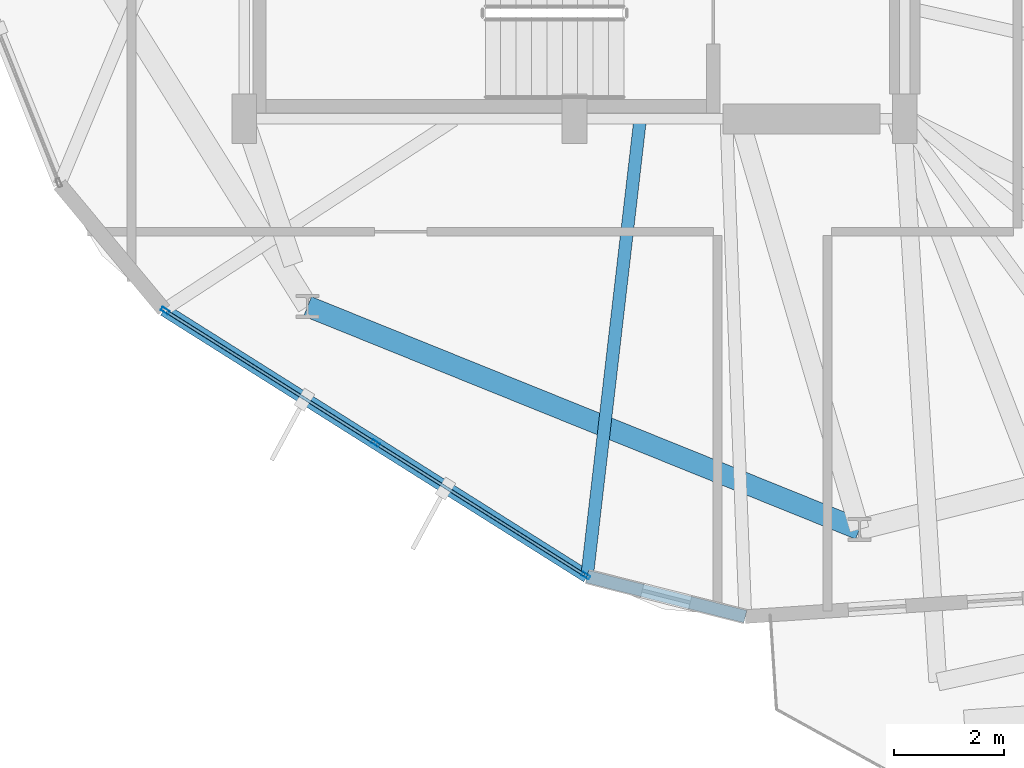
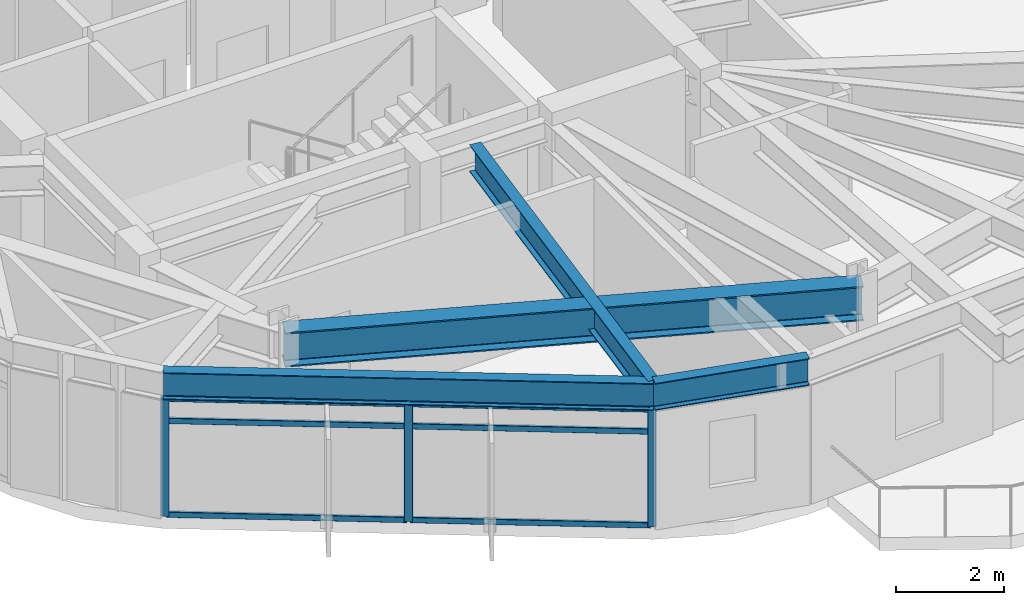
# One storey, part 2 of 24: 9 members, 4 beams, 1 element without a shape of its own.
"""IFC4 building model written with IfcOpenShell, lengths in metres."""

from ifc_helpers import new_model, si_unit, direction, frame, origin, origin_2d, place, context, subcontext, project, spatial, hollow_rectangle, i_section, extrude, material, layer, layer_set, material_profile, profile_set, type_object, element, aggregate, save


model = new_model("IFC4")

# Units and contexts
model_context = context("Model", 3, precision=1e-05, world=origin(), true_north=direction((0.0, 1.0)))
body_context = subcontext(model_context, "Body", "Model", "MODEL_VIEW")
ifc_project = project(units=[si_unit("LENGTHUNIT", "METRE"), si_unit("AREAUNIT", "SQUARE_METRE"), si_unit("VOLUMEUNIT", "CUBIC_METRE"), si_unit("PLANEANGLEUNIT", "RADIAN"), si_unit("MASSUNIT", "GRAM", prefix="KILO")], contexts=[model_context])

# Site, building, storey
site_placement = place(None, origin())
site = spatial("IfcSite", under=ifc_project, at=site_placement, CompositionType="ELEMENT")
building_placement = place(site_placement, origin())
building = spatial("IfcBuilding", under=site, at=building_placement, Name="Soratama Intermodal Tower", CompositionType="ELEMENT")
storey_placement = place(building_placement, frame((0.0, 0.0, 178.60009765625)))
storey = spatial("IfcBuildingStorey", under=building, at=storey_placement, Name="L44", CompositionType="ELEMENT", Elevation=178.60009765625)

# Beams
ifc_material_1 = material(Name="Structural steel ASTM A992 Grade 50", Category="steel")
ifc_material_profile_1 = material_profile(ifc_material_1, i_section(OverallWidth=0.382080078125, OverallDepth=0.779052734375, WebThickness=0.01806640625, FlangeThickness=0.030029296875, FilletRadius=0.01806640625, at=origin_2d()), Name="W30X191")
ifc_profile_set_1 = profile_set([ifc_material_profile_1], Name="Structural steel ASTM A992 Grade 50")
beam_type_1 = type_object("IfcBeamType", Name="BM-RING-W30X191", PredefinedType="BEAM", material=ifc_profile_set_1)
beam_1_placement = place(storey_placement, frame((33.7509765625, 11.593994140625, 2.910400390625), z_axis=(0.927202491827, -0.374560461275, 0.0), x_axis=(0.374560461275, 0.927202491827, 0.0)))
element("IfcBeam", 1, at=beam_1_placement, inside=storey, type_object=beam_type_1, Name="BM-L44-RING-07", PredefinedType="BEAM", context=body_context, shape_type="SweptSolid", body=[
    extrude(i_section(OverallWidth=0.382080078125, OverallDepth=0.779052734375, WebThickness=0.01806640625, FlangeThickness=0.030029296875, FilletRadius=0.01806640625, at=origin_2d()), origin(), (0.0, 0.0, 1.0), 10.8154296875),
])
ifc_material_2 = material(Name="Structural steel ASTM A992 Grade 50", Category="steel")
ifc_material_profile_2 = material_profile(ifc_material_2, i_section(OverallWidth=0.22900390625, OverallDepth=0.612060546875, WebThickness=0.011962890625, FlangeThickness=0.01953125, FilletRadius=0.012939453125, at=origin_2d()), Name="W24X84")
ifc_profile_set_2 = profile_set([ifc_material_profile_2], Name="Structural steel ASTM A992 Grade 50")
beam_type_2 = type_object("IfcBeamType", Name="BM-SPN-W24X84", PredefinedType="SPANDREL", material=ifc_profile_set_2)
beam_2_placement = place(storey_placement, frame((31.14111328125, 11.531982421875, 2.993896484375), z_axis=(0.846015174791, -0.533158816886, 0.0), x_axis=(0.533158816886, 0.846015174791, 0.0)))
element("IfcBeam", 2, at=beam_2_placement, inside=storey, type_object=beam_type_2, Name="BS-L44-F06", PredefinedType="SPANDREL", context=body_context, shape_type="SweptSolid", body=[
    extrude(i_section(OverallWidth=0.22900390625, OverallDepth=0.612060546875, WebThickness=0.011962890625, FlangeThickness=0.01953125, FilletRadius=0.012939453125, at=origin_2d()), origin(), (0.0, 0.0, 1.0), 9.08740234375),
])
beam_3_placement = place(storey_placement, frame((38.8291015625, 6.68701171875, 2.993896484375), z_axis=(0.969343473983, -0.245709644594, 0.0), x_axis=(0.245709644594, 0.969343473983, 0.0)))
element("IfcBeam", 3, at=beam_3_placement, inside=storey, type_object=beam_type_2, Name="BS-L44-CRN06", PredefinedType="SPANDREL", context=body_context, shape_type="SweptSolid", body=[
    extrude(i_section(OverallWidth=0.22900390625, OverallDepth=0.612060546875, WebThickness=0.011962890625, FlangeThickness=0.01953125, FilletRadius=0.012939453125, at=origin_2d()), origin(), (0.0, 0.0, 1.0), 2.967041015625),
])
ifc_material_3 = material(Name="Structural steel ASTM A992 Grade 50", Category="steel")
ifc_material_profile_3 = material_profile(ifc_material_3, i_section(OverallWidth=0.22900390625, OverallDepth=0.612060546875, WebThickness=0.011962890625, FlangeThickness=0.01953125, FilletRadius=0.012939453125, at=origin_2d()), Name="W24X84")
ifc_profile_set_3 = profile_set([ifc_material_profile_3], Name="Structural steel ASTM A992 Grade 50")
beam_type_3 = type_object("IfcBeamType", Name="BM-TIE-W24X84", PredefinedType="BEAM", material=ifc_profile_set_3)
beam_4_placement = place(storey_placement, frame((39.7900390625, 14.9599609375, 2.993896484375), z_axis=(-0.115378440833, -0.993321607231, 0.0), x_axis=(0.993321607231, -0.115378440833, 0.0)))
element("IfcBeam", 4, at=beam_4_placement, inside=storey, type_object=beam_type_3, Name="BM-L44-TIE1-06", PredefinedType="BEAM", context=body_context, shape_type="SweptSolid", body=[
    extrude(i_section(OverallWidth=0.22900390625, OverallDepth=0.612060546875, WebThickness=0.011962890625, FlangeThickness=0.01953125, FilletRadius=0.012939453125, at=origin_2d()), origin(), (0.0, 0.0, 1.0), 8.32861328125),
])

# Curtain wall, members
ifc_material_4 = material(Name="Double-glazed aluminium curtain wall", Category="aluminium")
ifc_layer = layer(ifc_material_4, 0.159912109375)
ifc_layer_set = layer_set([ifc_layer], Name="Double-glazed aluminium curtain wall")
curtain_wall_type = type_object("IfcCurtainWallType", Name="CW-SYS-4", PredefinedType="NOTDEFINED", material=ifc_layer_set)
curtain_wall_placement = place(storey_placement, origin())
curtain_wall = element("IfcCurtainWall", 5, at=curtain_wall_placement, inside=storey, type_object=curtain_wall_type, Name="L44 Faceted Curtain Wall F06", PredefinedType="NOTDEFINED")
ifc_material_5 = material(Name="Anodised aluminium AA 6063-T6", Category="aluminium")
ifc_material_profile_4 = material_profile(ifc_material_5, hollow_rectangle(XDim=0.070068359375, YDim=0.159912109375, WallThickness=0.0048828125, InnerFilletRadius=0.0048828125, OuterFilletRadius=0.010009765625, at=origin_2d()), Name="CWM160X70X5")
ifc_profile_set_4 = profile_set([ifc_material_profile_4], Name="Anodised aluminium AA 6063-T6")
member_type_1 = type_object("IfcMemberType", Name="MT-CWM-4", PredefinedType="MULLION", material=ifc_profile_set_4)
member_1_placement = place(storey_placement, frame((31.166748046875, 11.515625, 0.0), z_axis=(0.0, 0.0, 1.0), x_axis=(0.53316755759, 0.846009666336, 0.0)))
member_1 = element("IfcMember", 6, at=member_1_placement, type_object=member_type_1, Name="CW-4 mullion 1", PredefinedType="MULLION", context=body_context, shape_type="SweptSolid", body=[
    extrude(hollow_rectangle(XDim=0.070068359375, YDim=0.159912109375, WallThickness=0.0048828125, InnerFilletRadius=0.0048828125, OuterFilletRadius=0.010009765625, at=origin_2d()), origin(), (0.0, 0.0, 1.0), 2.678955078125),
])
member_2_placement = place(storey_placement, frame((34.9853515625, 9.109130859375, 0.0), z_axis=(0.0, 0.0, 1.0), x_axis=(0.53316755759, 0.846009666336, 0.0)))
member_2 = element("IfcMember", 7, at=member_2_placement, type_object=member_type_1, Name="CW-4 mullion 2", PredefinedType="MULLION", context=body_context, shape_type="SweptSolid", body=[
    extrude(hollow_rectangle(XDim=0.070068359375, YDim=0.159912109375, WallThickness=0.0048828125, InnerFilletRadius=0.0048828125, OuterFilletRadius=0.010009765625, at=origin_2d()), origin(), (0.0, 0.0, 1.0), 2.678955078125),
])
member_3_placement = place(storey_placement, frame((38.8037109375, 6.70263671875, 0.0), z_axis=(0.0, 0.0, 1.0), x_axis=(0.53316755759, 0.846009666336, 0.0)))
member_3 = element("IfcMember", 8, at=member_3_placement, type_object=member_type_1, Name="CW-4 mullion 3", PredefinedType="MULLION", context=body_context, shape_type="SweptSolid", body=[
    extrude(hollow_rectangle(XDim=0.070068359375, YDim=0.159912109375, WallThickness=0.0048828125, InnerFilletRadius=0.0048828125, OuterFilletRadius=0.010009765625, at=origin_2d()), origin(), (0.0, 0.0, 1.0), 2.678955078125),
])
ifc_material_6 = material(Name="Anodised aluminium AA 6063-T6", Category="aluminium")
ifc_material_profile_5 = material_profile(ifc_material_6, hollow_rectangle(XDim=0.06005859375, YDim=0.1298828125, WallThickness=0.0048828125, InnerFilletRadius=0.0048828125, OuterFilletRadius=0.010009765625, at=origin_2d()), Name="CWT130X60X5")
ifc_profile_set_5 = profile_set([ifc_material_profile_5], Name="Anodised aluminium AA 6063-T6")
member_type_2 = type_object("IfcMemberType", Name="TT-CWT-2", PredefinedType="USERDEFINED", material=ifc_profile_set_5)
member_4_placement = place(storey_placement, frame((31.192138671875, 11.49951171875, 0.02978515625), z_axis=(0.846036874128, -0.533124382874, 0.0), x_axis=(0.533124382874, 0.846036874128, 0.0)))
member_4 = element("IfcMember", 9, at=member_4_placement, type_object=member_type_2, Name="CW-4 transom 1.1", ObjectType="TRANSOM", PredefinedType="USERDEFINED", context=body_context, shape_type="SweptSolid", body=[
    extrude(hollow_rectangle(XDim=0.06005859375, YDim=0.1298828125, WallThickness=0.0048828125, InnerFilletRadius=0.0048828125, OuterFilletRadius=0.010009765625, at=origin_2d()), origin(), (0.0, 0.0, 1.0), 4.45361328125),
])
member_5_placement = place(storey_placement, frame((31.192138671875, 11.49951171875, 2.14990234375), z_axis=(0.846036874128, -0.533124382874, 0.0), x_axis=(0.533124382874, 0.846036874128, 0.0)))
member_5 = element("IfcMember", 10, at=member_5_placement, type_object=member_type_2, Name="CW-4 transom 1.2", ObjectType="TRANSOM", PredefinedType="USERDEFINED", context=body_context, shape_type="SweptSolid", body=[
    extrude(hollow_rectangle(XDim=0.06005859375, YDim=0.1298828125, WallThickness=0.0048828125, InnerFilletRadius=0.0048828125, OuterFilletRadius=0.010009765625, at=origin_2d()), origin(), (0.0, 0.0, 1.0), 4.45361328125),
])
member_6_placement = place(storey_placement, frame((31.192138671875, 11.49951171875, 2.64892578125), z_axis=(0.846036874128, -0.533124382874, 0.0), x_axis=(0.533124382874, 0.846036874128, 0.0)))
member_6 = element("IfcMember", 11, at=member_6_placement, type_object=member_type_2, Name="CW-4 transom 1.3", ObjectType="TRANSOM", PredefinedType="USERDEFINED", context=body_context, shape_type="SweptSolid", body=[
    extrude(hollow_rectangle(XDim=0.06005859375, YDim=0.1298828125, WallThickness=0.0048828125, InnerFilletRadius=0.0048828125, OuterFilletRadius=0.010009765625, at=origin_2d()), origin(), (0.0, 0.0, 1.0), 4.45361328125),
])
member_7_placement = place(storey_placement, frame((35.0107421875, 9.09326171875, 0.02978515625), z_axis=(0.845996563828, -0.533188347576, 0.0), x_axis=(0.533188347576, 0.845996563828, 0.0)))
member_7 = element("IfcMember", 12, at=member_7_placement, type_object=member_type_2, Name="CW-4 transom 2.1", ObjectType="TRANSOM", PredefinedType="USERDEFINED", context=body_context, shape_type="SweptSolid", body=[
    extrude(hollow_rectangle(XDim=0.06005859375, YDim=0.1298828125, WallThickness=0.0048828125, InnerFilletRadius=0.0048828125, OuterFilletRadius=0.010009765625, at=origin_2d()), origin(), (0.0, 0.0, 1.0), 4.453369140625),
])
member_8_placement = place(storey_placement, frame((35.0107421875, 9.09326171875, 2.14990234375), z_axis=(0.845996563828, -0.533188347576, 0.0), x_axis=(0.533188347576, 0.845996563828, 0.0)))
member_8 = element("IfcMember", 13, at=member_8_placement, type_object=member_type_2, Name="CW-4 transom 2.2", ObjectType="TRANSOM", PredefinedType="USERDEFINED", context=body_context, shape_type="SweptSolid", body=[
    extrude(hollow_rectangle(XDim=0.06005859375, YDim=0.1298828125, WallThickness=0.0048828125, InnerFilletRadius=0.0048828125, OuterFilletRadius=0.010009765625, at=origin_2d()), origin(), (0.0, 0.0, 1.0), 4.453369140625),
])
member_9_placement = place(storey_placement, frame((35.0107421875, 9.09326171875, 2.64892578125), z_axis=(0.845996563828, -0.533188347576, 0.0), x_axis=(0.533188347576, 0.845996563828, 0.0)))
member_9 = element("IfcMember", 14, at=member_9_placement, type_object=member_type_2, Name="CW-4 transom 2.3", ObjectType="TRANSOM", PredefinedType="USERDEFINED", context=body_context, shape_type="SweptSolid", body=[
    extrude(hollow_rectangle(XDim=0.06005859375, YDim=0.1298828125, WallThickness=0.0048828125, InnerFilletRadius=0.0048828125, OuterFilletRadius=0.010009765625, at=origin_2d()), origin(), (0.0, 0.0, 1.0), 4.453369140625),
])
aggregate(curtain_wall, [member_1, member_2, member_3, member_4, member_5, member_6, member_7, member_8, member_9])

save(model, "model.ifc")
